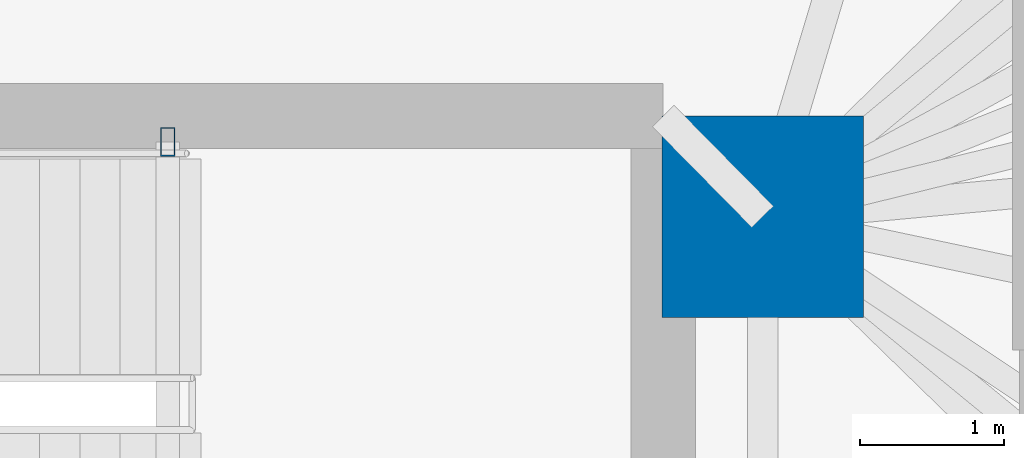
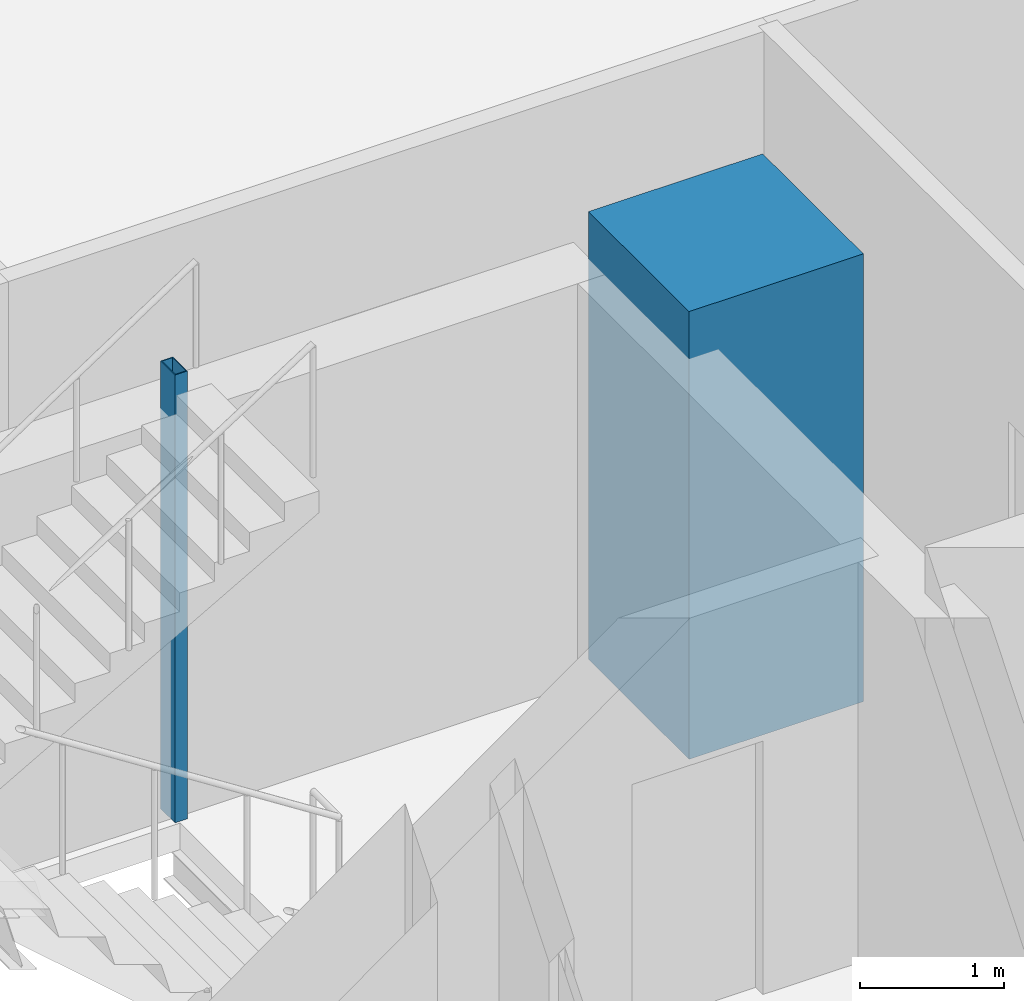
# One storey, part 4 of 17: 2 columns.
"""IFC4 building model written with IfcOpenShell, lengths in metres."""

from ifc_helpers import new_model, si_unit, direction, frame, origin, origin_2d, place, context, subcontext, project, spatial, rectangle, hollow_rectangle, extrude, material, material_profile, profile_set, type_object, element, save


model = new_model("IFC4")

# Units and contexts
model_context = context("Model", 3, precision=1e-05, world=origin(), true_north=direction((0.0, 1.0)))
body_context = subcontext(model_context, "Body", "Model", "MODEL_VIEW")
ifc_project = project(units=[si_unit("LENGTHUNIT", "METRE"), si_unit("AREAUNIT", "SQUARE_METRE"), si_unit("VOLUMEUNIT", "CUBIC_METRE"), si_unit("PLANEANGLEUNIT", "RADIAN"), si_unit("MASSUNIT", "GRAM", prefix="KILO")], contexts=[model_context])

# Site, building, storey
site_placement = place(None, origin())
site = spatial("IfcSite", under=ifc_project, at=site_placement, CompositionType="ELEMENT")
building_placement = place(site_placement, origin())
building = spatial("IfcBuilding", under=site, at=building_placement, Name="Menara Jurai Vektor", CompositionType="ELEMENT")
storey_placement = place(building_placement, frame((0.0, 0.0, 75.0)))
storey = spatial("IfcBuildingStorey", under=building, at=storey_placement, Name="L18", CompositionType="ELEMENT", Elevation=75.0)

# Columns
ifc_material_1 = material(Name="Concrete C60/75", Category="concrete")
ifc_material_profile_1 = material_profile(ifc_material_1, rectangle(XDim=1.39990234375, YDim=1.39990234375, at=origin_2d()), Name="RC 1400x1400")
ifc_profile_set_1 = profile_set([ifc_material_profile_1], Name="Concrete C60/75")
column_type_1 = type_object("IfcColumnType", Name="STR-COL-RC1400", PredefinedType="COLUMN", material=ifc_profile_set_1)
column_1_placement = place(storey_placement, frame((15.25, 4.89990234375, 0.0), z_axis=(0.0, 0.0, 1.0), x_axis=(1.0, 0.0, 0.0)))
element("IfcColumn", 1, at=column_1_placement, inside=storey, type_object=column_type_1, Name="Core Spine Column CE-NE L18", PredefinedType="COLUMN", context=body_context, shape_type="SweptSolid", body=[
    extrude(rectangle(XDim=1.39990234375, YDim=1.39990234375, at=origin_2d()), origin(), (0.0, 0.0, 1.0), 3.800048828125),
])
ifc_material_2 = material(Name="Steel S355", Category="steel")
ifc_material_profile_2 = material_profile(ifc_material_2, hollow_rectangle(XDim=0.10009765625, YDim=0.199951171875, WallThickness=0.008056640625, at=origin_2d()), Name="RHS 200x100x8")
ifc_profile_set_2 = profile_set([ifc_material_profile_2], Name="Steel S355")
column_type_2 = type_object("IfcColumnType", Name="STR-COL-STAIR", PredefinedType="COLUMN", material=ifc_profile_set_2)
column_2_placement = place(storey_placement, frame((11.1201171875, 5.419921875, 0.0), z_axis=(0.0, 0.0, 1.0), x_axis=(1.0, 0.0, 0.0)))
element("IfcColumn", 2, at=column_2_placement, inside=storey, type_object=column_type_2, Name="Stair Well Header Column ST2-P2 L18", PredefinedType="COLUMN", context=body_context, shape_type="SweptSolid", body=[
    extrude(hollow_rectangle(XDim=0.10009765625, YDim=0.199951171875, WallThickness=0.008056640625, at=origin_2d()), origin(), (0.0, 0.0, 1.0), 3.800048828125),
])

save(model, "model.ifc")
